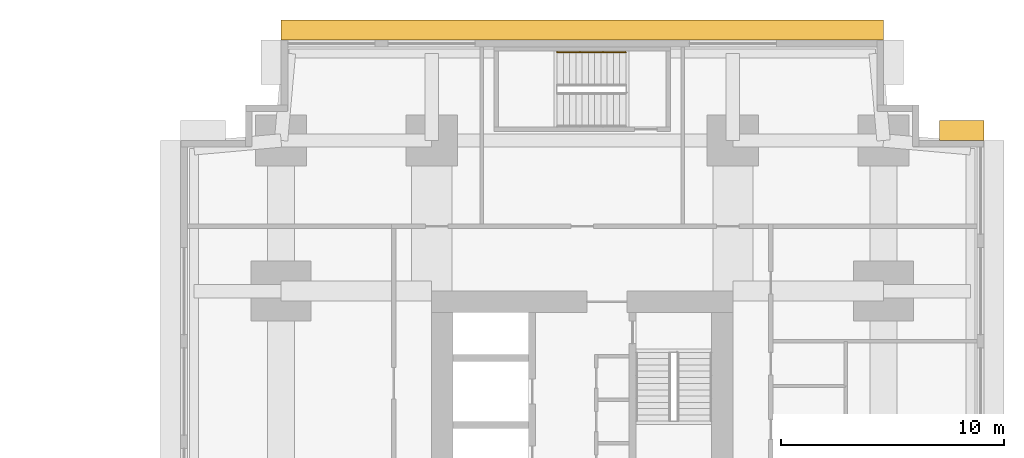
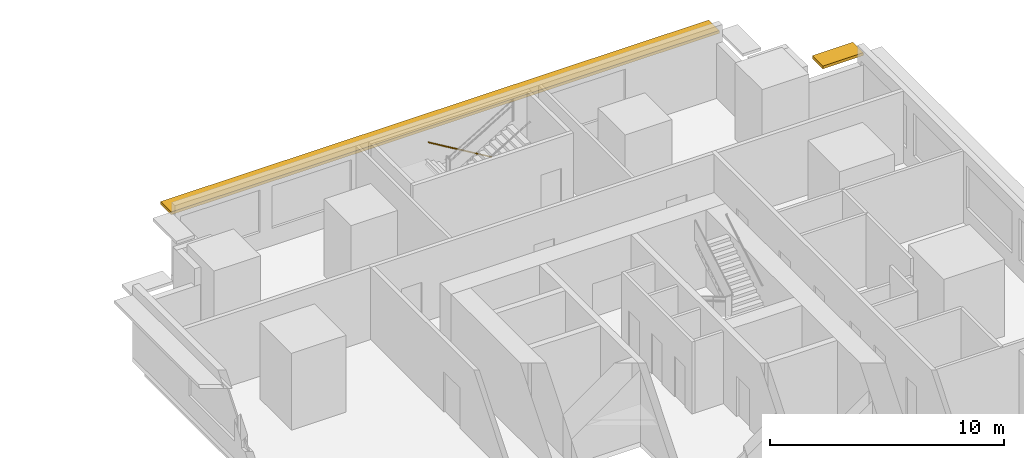
# One storey, part 12 of 12: 2 shading devices, 1 railing.
"""IFC4 building model written with IfcOpenShell, lengths in metres."""

from ifc_helpers import new_model, si_unit, direction, frame, origin, origin_2d, place, context, subcontext, project, spatial, rectangle, circle, extrude, material, layer, layer_set, type_object, element, save


model = new_model("IFC4")

# Units and contexts
model_context = context("Model", 3, precision=1e-05, world=origin(), true_north=direction((0.0, 1.0)))
body_context = subcontext(model_context, "Body", "Model", "MODEL_VIEW")
ifc_project = project(units=[si_unit("LENGTHUNIT", "METRE"), si_unit("AREAUNIT", "SQUARE_METRE"), si_unit("VOLUMEUNIT", "CUBIC_METRE"), si_unit("PLANEANGLEUNIT", "RADIAN"), si_unit("MASSUNIT", "GRAM", prefix="KILO")], contexts=[model_context])

# Site, building, storey
site_placement = place(None, origin())
site = spatial("IfcSite", under=ifc_project, at=site_placement, CompositionType="ELEMENT")
building_placement = place(site_placement, origin())
building = spatial("IfcBuilding", under=site, at=building_placement, Name="Namib Vertical Campus", CompositionType="ELEMENT")
storey_placement = place(building_placement, frame((0.0, 0.0, 45.0)))
storey = spatial("IfcBuildingStorey", under=building, at=storey_placement, Name="L10", CompositionType="ELEMENT", Elevation=45.0)

# Railing
ifc_material_1 = material(Name="Steel handrail", Category="steel")
railing_type = type_object("IfcRailingType", Name="Handrail 900", PredefinedType="HANDRAIL", material=ifc_material_1)
railing_placement = place(storey_placement, frame((82.949951171875, 39.949951171875, 0.166748046875)))
element("IfcRailing", 1, at=railing_placement, inside=storey, type_object=railing_type, Name="Handrail HR1 B-S3 L10 1", PredefinedType="HANDRAIL", context=body_context, shape_type="SweptSolid", body=[
    extrude(circle(Radius=0.02392578125, at=origin_2d()), frame((0.0, 0.0, 0.8759765625), z_axis=(-0.859290745958, 0.0, 0.51148745235), x_axis=(0.0, -1.0, 0.0)), (0.0, 0.0, 1.0), 3.584228515625),
    extrude(circle(Radius=0.008056640625, at=origin_2d()), frame((0.0, 0.0, 0.8759765625), z_axis=(0.0, 1.0, 0.0), x_axis=(0.0, 0.0, 1.0)), (0.0, 0.0, 1.0), 0.050048828125),
    extrude(circle(Radius=0.008056640625, at=origin_2d()), frame((-1.026611328125, 0.0, 1.48681640625), z_axis=(0.0, 1.0, 0.0), x_axis=(0.0, 0.0, 1.0)), (0.0, 0.0, 1.0), 0.050048828125),
    extrude(circle(Radius=0.008056640625, at=origin_2d()), frame((-2.05322265625, 0.0, 2.09814453125), z_axis=(0.0, 1.0, 0.0), x_axis=(0.0, 0.0, 1.0)), (0.0, 0.0, 1.0), 0.050048828125),
    extrude(circle(Radius=0.008056640625, at=origin_2d()), frame((-3.079833984375, 0.0, 2.708984375), z_axis=(0.0, 1.0, 0.0), x_axis=(0.0, 0.0, 1.0)), (0.0, 0.0, 1.0), 0.050048828125),
])

# Shading devices
ifc_material_2 = material(Name="Concrete C40/50 precast", Category="concrete")
ifc_layer = layer(ifc_material_2, 0.14990234375)
ifc_layer_set = layer_set([ifc_layer], Name="Concrete C40/50 precast")
shading_device_type = type_object("IfcShadingDeviceType", Name="Sunshade hood 900", PredefinedType="SHUTTER", material=ifc_layer_set)
shading_device_1_placement = place(storey_placement, frame((98.0, 36.449951171875, 3.10009765625), z_axis=(0.0, 0.0, 1.0), x_axis=(-1.0, 0.0, 0.0)))
element("IfcShadingDevice", 2, at=shading_device_1_placement, inside=storey, type_object=shading_device_type, Name="Sunshade SH1 L10 7", PredefinedType="SHUTTER", context=body_context, shape_type="SweptSolid", body=[
    extrude(rectangle(XDim=2.0, YDim=0.89990234375, at=origin_2d()), origin(), (0.0, 0.0, 1.0), 0.14990234375),
])
shading_device_2_placement = place(storey_placement, frame((81.0, 40.949951171875, 3.10009765625), z_axis=(0.0, 0.0, 1.0), x_axis=(-1.0, 0.0, 0.0)))
element("IfcShadingDevice", 3, at=shading_device_2_placement, inside=storey, type_object=shading_device_type, Name="Sunshade SH1 L10 11", PredefinedType="SHUTTER", context=body_context, shape_type="SweptSolid", body=[
    extrude(rectangle(XDim=27.0, YDim=0.89990234375, at=origin_2d()), origin(), (0.0, 0.0, 1.0), 0.14990234375),
])

save(model, "model.ifc")
